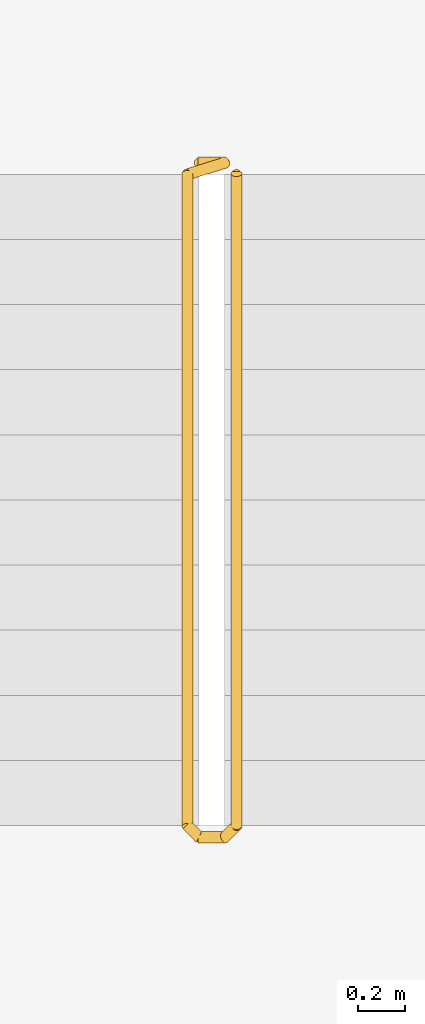
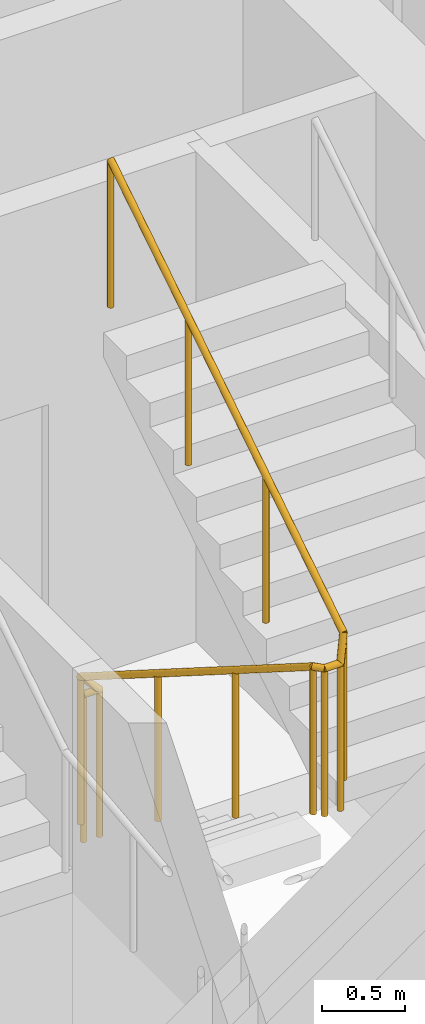
# One storey, part 19 of 19: 1 railing.
"""IFC4 building model written with IfcOpenShell, lengths in metres."""

from ifc_helpers import new_model, si_unit, direction, frame, origin, origin_2d, place, context, subcontext, project, spatial, circle, extrude, material, type_object, element, save


model = new_model("IFC4")

# Units and contexts
model_context = context("Model", 3, precision=1e-05, world=origin(), true_north=direction((0.0, 1.0)))
body_context = subcontext(model_context, "Body", "Model", "MODEL_VIEW")
ifc_project = project(units=[si_unit("LENGTHUNIT", "METRE"), si_unit("AREAUNIT", "SQUARE_METRE"), si_unit("VOLUMEUNIT", "CUBIC_METRE"), si_unit("PLANEANGLEUNIT", "RADIAN"), si_unit("MASSUNIT", "GRAM", prefix="KILO")], contexts=[model_context])

# Site, building, storey
site_placement = place(None, origin())
site = spatial("IfcSite", under=ifc_project, at=site_placement, CompositionType="ELEMENT")
building_placement = place(site_placement, origin())
building = spatial("IfcBuilding", under=site, at=building_placement, Name="Tessera Arch", CompositionType="ELEMENT")
storey_placement = place(building_placement, frame((0.0, 0.0, 170.0)))
storey = spatial("IfcBuildingStorey", under=building, at=storey_placement, Name="L40", CompositionType="ELEMENT", Elevation=170.0)

# Railing
ifc_material = material(Name="Painted steel balustrade", Category="steel")
railing_type = type_object("IfcRailingType", Name="Stair guard 1100", PredefinedType="GUARDRAIL", material=ifc_material)
railing_placement = place(storey_placement, frame((44.919921875, 43.6298828125, 0.0)))
element("IfcRailing", 1, at=railing_placement, inside=storey, type_object=railing_type, Name="L40 S1c stair guard 1", PredefinedType="GUARDRAIL", context=body_context, shape_type="SweptSolid", body=[
    extrude(circle(Radius=0.02392578125, at=origin_2d()), frame((-0.00390625, 0.0, 1.076171875), z_axis=(1.0, 0.0, 0.0), x_axis=(0.0, 1.0, 0.0)), (0.0, 0.0, 1.0), 0.1181640625),
    extrude(circle(Radius=0.02392578125, at=origin_2d()), frame((0.11279296875, 0.000732421875, 1.0732421875), z_axis=(-0.65574896516, -0.204233265485, 0.726830150696), x_axis=(0.297361876254, -0.954764847777, 0.0)), (0.0, 0.0, 1.0), 0.251953125),
    extrude(circle(Radius=0.02392578125, at=origin_2d()), frame((-0.0498046875, -0.04638671875, 1.251220703125), z_axis=(0.0, -0.844908973607, 0.534910110503), x_axis=(1.0, 0.0, 0.0)), (0.0, 0.0, 1.0), 3.322021484375),
    extrude(circle(Radius=0.02392578125, at=origin_2d()), frame((-0.052734375, -2.846923828125, 3.02587890625), z_axis=(0.705375805398, -0.708833529934, 0.0), x_axis=(0.708833529934, 0.705375805398, 0.0)), (0.0, 0.0, 1.0), 0.07861328125),
    extrude(circle(Radius=0.02392578125, at=origin_2d()), frame((-0.00390625, -2.89990234375, 3.02587890625), z_axis=(1.0, 0.0, 0.0), x_axis=(0.0, 1.0, 0.0)), (0.0, 0.0, 1.0), 0.1181640625),
    extrude(circle(Radius=0.02392578125, at=origin_2d()), frame((0.109130859375, -2.90087890625, 3.022216796875), z_axis=(0.262233686654, 0.262233686654, 0.928691007369), x_axis=(-0.707106781187, 0.707106781187, 0.0)), (0.0, 0.0, 1.0), 0.198974609375),
    extrude(circle(Radius=0.02392578125, at=origin_2d()), frame((0.16015625, -2.853271484375, 3.201171875), z_axis=(0.0, 0.844908973607, 0.534910110503), x_axis=(-1.0, 0.0, 0.0)), (0.0, 0.0, 1.0), 3.322021484375),
    extrude(circle(Radius=0.02099609375, at=origin_2d()), origin(), (0.0, 0.0, 1.0), 1.06396484375),
    extrude(circle(Radius=0.02099609375, at=origin_2d()), frame((0.110107421875, 0.0, 0.0)), (0.0, 0.0, 1.0), 1.06396484375),
    extrude(circle(Radius=0.02099609375, at=origin_2d()), frame((-0.0498046875, -0.0498046875, 0.17724609375)), (0.0, 0.0, 1.0), 1.06396484375),
    extrude(circle(Radius=0.02099609375, at=origin_2d()), frame((-0.0498046875, -0.983154296875, 0.76806640625)), (0.0, 0.0, 1.0), 1.06396484375),
    extrude(circle(Radius=0.02099609375, at=origin_2d()), frame((-0.0498046875, -1.91650390625, 1.359130859375)), (0.0, 0.0, 1.0), 1.06396484375),
    extrude(circle(Radius=0.02099609375, at=origin_2d()), frame((-0.0498046875, -2.849853515625, 1.949951171875)), (0.0, 0.0, 1.0), 1.06396484375),
    extrude(circle(Radius=0.02099609375, at=origin_2d()), frame((0.0, -2.89990234375, 1.949951171875)), (0.0, 0.0, 1.0), 1.06396484375),
    extrude(circle(Radius=0.02099609375, at=origin_2d()), frame((0.110107421875, -2.89990234375, 1.949951171875)), (0.0, 0.0, 1.0), 1.06396484375),
    extrude(circle(Radius=0.02099609375, at=origin_2d()), frame((0.16015625, -2.849853515625, 2.127197265625)), (0.0, 0.0, 1.0), 1.06396484375),
    extrude(circle(Radius=0.02099609375, at=origin_2d()), frame((0.16015625, -1.91650390625, 2.718017578125)), (0.0, 0.0, 1.0), 1.06396484375),
    extrude(circle(Radius=0.02099609375, at=origin_2d()), frame((0.16015625, -0.983154296875, 3.30908203125)), (0.0, 0.0, 1.0), 1.06396484375),
    extrude(circle(Radius=0.02099609375, at=origin_2d()), frame((0.16015625, -0.0498046875, 3.89990234375)), (0.0, 0.0, 1.0), 1.06396484375),
])

save(model, "model.ifc")
